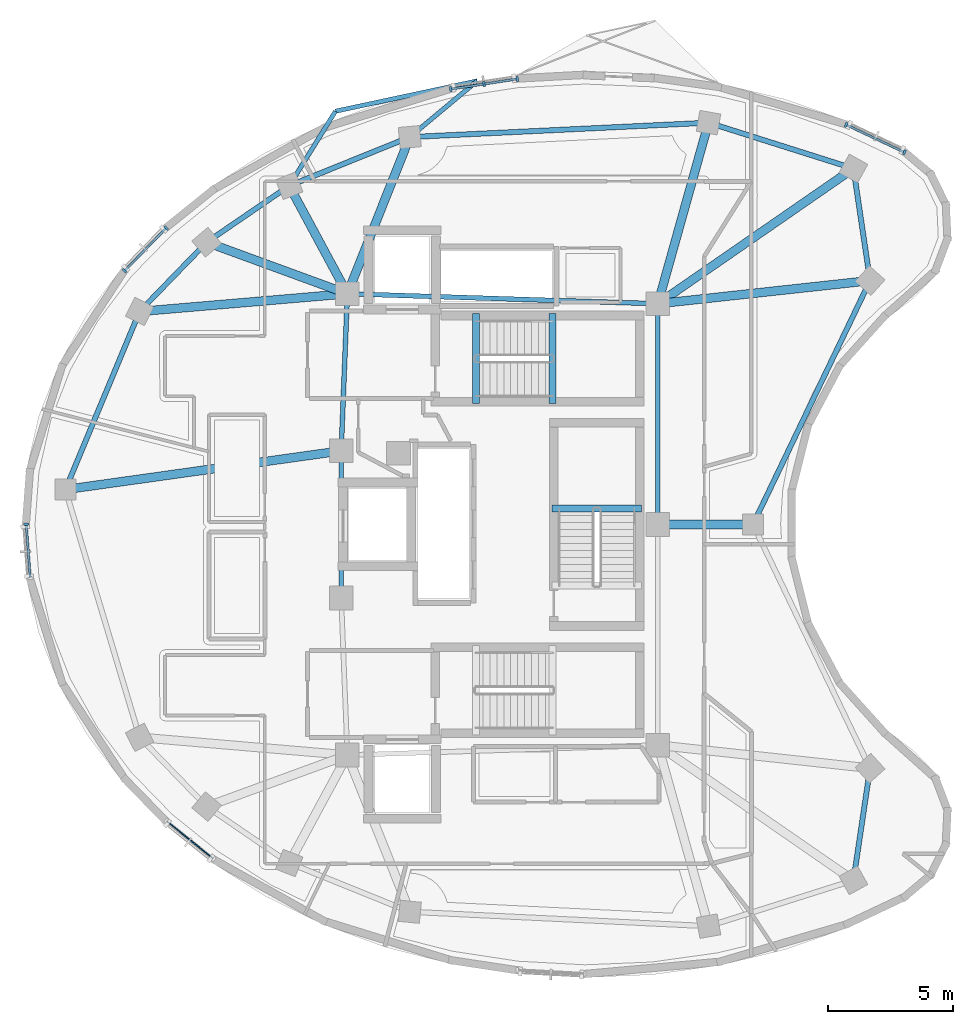
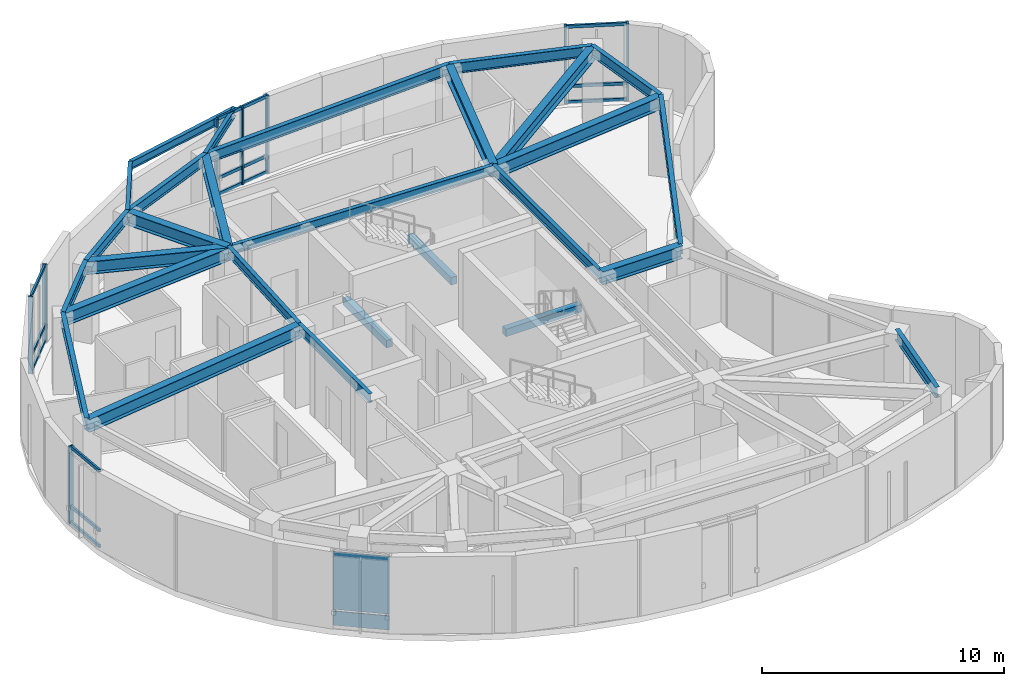
# One storey, part 2 of 10: 28 beams, 23 members, 2 plates, 5 elements without a shape of their own.
"""IFC4 building model written with IfcOpenShell, lengths in metres."""

from ifc_helpers import new_model, si_unit, direction, frame, origin, origin_2d, place, context, subcontext, project, spatial, rectangle, i_section, extrude, material, layer, layer_set, material_profile, profile_set, type_object, element, aggregate, save


model = new_model("IFC4")

# Units and contexts
model_context = context("Model", 3, precision=1e-05, world=origin(), true_north=direction((0.0, 1.0)))
body_context = subcontext(model_context, "Body", "Model", "MODEL_VIEW")
ifc_project = project(units=[si_unit("LENGTHUNIT", "METRE"), si_unit("AREAUNIT", "SQUARE_METRE"), si_unit("VOLUMEUNIT", "CUBIC_METRE"), si_unit("PLANEANGLEUNIT", "RADIAN"), si_unit("MASSUNIT", "GRAM", prefix="KILO")], contexts=[model_context])

# Site, building, storey
site_placement = place(None, origin())
site = spatial("IfcSite", under=ifc_project, at=site_placement, CompositionType="ELEMENT")
building_placement = place(site_placement, origin())
building = spatial("IfcBuilding", under=site, at=building_placement, Name="Korentha Bioscience Tower", CompositionType="ELEMENT")
storey_placement = place(building_placement, frame((0.0, 0.0, 306.0)))
storey = spatial("IfcBuildingStorey", under=building, at=storey_placement, Name="L70", CompositionType="ELEMENT", Elevation=306.0)

# Beams
ifc_material_1 = material(Name="Concrete C50", Category="concrete")
ifc_material_profile_1 = material_profile(ifc_material_1, rectangle(XDim=0.280029296875, YDim=0.3798828125, at=origin_2d()), Name="Concrete C50")
ifc_profile_set_1 = profile_set([ifc_material_profile_1], Name="Concrete C50 (ST-HB380)")
beam_type_1 = type_object("IfcBeamType", Name="Concrete Stair Header Beam RC 280x380", PredefinedType="BEAM", material=ifc_profile_set_1)
for number, where, z_axis, x_axis, name in (
    (1, (30.25, 31.85009765625, -0.18994140625), (0.0, 1.0, 0.0), (-1.0, 0.0, 0.0), "L70 ST-1 Concrete Stair Header Beam"),
    (2, (33.330078125, 31.85009765625, 1.909912109375), (0.0, 1.0, 0.0), (-1.0, 0.0, 0.0), "L70 ST-1 Half-Landing Header Beam 1"),
    (3, (36.89990234375, 27.6298828125, 1.909912109375), (-1.0, 0.0, 0.0), (0.0, -1.0, 0.0), "L70 ST-3 Half-Landing Header Beam 1"),
):
    element("IfcBeam", number, at=place(storey_placement, frame(where, z_axis=z_axis, x_axis=x_axis)), inside=storey, type_object=beam_type_1, Name=name, PredefinedType="BEAM", context=body_context, shape_type="SweptSolid", body=[
        extrude(rectangle(XDim=0.280029296875, YDim=0.3798828125, at=origin_2d()), origin(), (0.0, 0.0, 1.0), 3.599853515625),
    ])
ifc_material_2 = material(Name="Steel S355", Category="steel")
ifc_material_profile_2 = material_profile(ifc_material_2, i_section(OverallWidth=0.18994140625, OverallDepth=0.45703125, WebThickness=0.009033203125, FlangeThickness=0.014404296875, at=origin_2d()), Name="Steel S355")
ifc_profile_set_2 = profile_set([ifc_material_profile_2], Name="Steel S355 (MB-460)")
beam_type_2 = type_object("IfcBeamType", Name="Mid-Ring Tie Girder W460x74", PredefinedType="BEAM", material=ifc_profile_set_2)
beam_1_placement = place(storey_placement, frame((37.550048828125, 35.85009765625, 3.67138671875), z_axis=(-0.999484526071, 0.032104238723, 0.0), x_axis=(-0.032104238723, -0.999484526071, 0.0)))
element("IfcBeam", 4, at=beam_1_placement, inside=storey, type_object=beam_type_2, Name="L70 Core Ring Tie Girder 01", PredefinedType="BEAM", context=body_context, shape_type="SweptSolid", body=[
    extrude(i_section(OverallWidth=0.18994140625, OverallDepth=0.45703125, WebThickness=0.009033203125, FlangeThickness=0.014404296875, at=origin_2d()), origin(), (0.0, 0.0, 1.0), 12.456298828125),
])
beam_2_placement = place(storey_placement, frame((25.10009765625, 36.25, 3.67138671875), z_axis=(-0.039651025576, -0.999213588864, 0.0), x_axis=(0.999213588864, -0.039651025576, 0.0)))
element("IfcBeam", 5, at=beam_2_placement, inside=storey, type_object=beam_type_2, Name="L70 Core Ring Tie Girder 02", PredefinedType="BEAM", context=body_context, shape_type="SweptSolid", body=[
    extrude(i_section(OverallWidth=0.18994140625, OverallDepth=0.45703125, WebThickness=0.009033203125, FlangeThickness=0.014404296875, at=origin_2d()), origin(), (0.0, 0.0, 1.0), 6.304931640625),
])
beam_3_placement = place(storey_placement, frame((24.85009765625, 29.949951171875, 3.67138671875), z_axis=(0.0, -1.0, 0.0), x_axis=(1.0, 0.0, 0.0)))
element("IfcBeam", 6, at=beam_3_placement, inside=storey, type_object=beam_type_2, Name="L70 Core Ring Tie Girder 03", PredefinedType="BEAM", context=body_context, shape_type="SweptSolid", body=[
    extrude(i_section(OverallWidth=0.18994140625, OverallDepth=0.45703125, WebThickness=0.009033203125, FlangeThickness=0.014404296875, at=origin_2d()), origin(), (0.0, 0.0, 1.0), 5.89990234375),
])
beam_4_placement = place(storey_placement, frame((37.550048828125, 27.0, 3.67138671875), z_axis=(0.0, 1.0, 0.0), x_axis=(-1.0, 0.0, 0.0)))
element("IfcBeam", 7, at=beam_4_placement, inside=storey, type_object=beam_type_2, Name="L70 Core Ring Tie Girder 07", PredefinedType="BEAM", context=body_context, shape_type="SweptSolid", body=[
    extrude(i_section(OverallWidth=0.18994140625, OverallDepth=0.45703125, WebThickness=0.009033203125, FlangeThickness=0.014404296875, at=origin_2d()), origin(), (0.0, 0.0, 1.0), 8.85009765625),
])

# Curtain wall, members
ifc_material_3 = material(Name="Thermally Broken Aluminium Frame", Category="aluminium")
ifc_layer_1 = layer(ifc_material_3, 0.219970703125, Name="Thermally Broken Aluminium Frame")
ifc_layer_set_1 = layer_set([ifc_layer_1], Name="Thermally Broken Aluminium Frame (CW-T2)")
curtain_wall_type = type_object("IfcCurtainWallType", Name="Solar-Screened Lab Unitised Curtain Wall CW-T2", PredefinedType="USERDEFINED", material=ifc_layer_set_1)
curtain_wall_1_placement = place(storey_placement, origin())
curtain_wall_1 = element("IfcCurtainWall", 8, at=curtain_wall_1_placement, inside=storey, type_object=curtain_wall_type, Name="L70 Curtain Wall 01", ObjectType="UNITISED", PredefinedType="USERDEFINED")
ifc_material_4 = material(Name="Anodised Aluminium 6063-T6", Category="aluminium")
ifc_material_profile_3 = material_profile(ifc_material_4, rectangle(XDim=0.090087890625, YDim=0.199951171875, at=origin_2d()), Name="Anodised Aluminium 6063-T6")
ifc_profile_set_3 = profile_set([ifc_material_profile_3], Name="Anodised Aluminium 6063-T6 (CW-MUL)")
member_type_1 = type_object("IfcMemberType", Name="Mullion RECT 90x200", PredefinedType="MULLION", material=ifc_profile_set_3)
member_1_placement = place(storey_placement, frame((47.439697265625, 41.922607421875, 0.0), z_axis=(0.0, 0.0, 1.0), x_axis=(-0.904397382054, 0.426691194347, 0.0)))
member_1 = element("IfcMember", 9, at=member_1_placement, type_object=member_type_1, Name="CW-L70-01 Mullion 1", PredefinedType="MULLION", context=body_context, shape_type="SweptSolid", body=[
    extrude(rectangle(XDim=0.090087890625, YDim=0.199951171875, at=origin_2d()), origin(), (0.0, 0.0, 1.0), 3.89990234375),
])
member_2_placement = place(storey_placement, frame((45.095703125, 43.028564453125, 0.0), z_axis=(0.0, 0.0, 1.0), x_axis=(-0.904397382054, 0.426691194347, 0.0)))
member_2 = element("IfcMember", 10, at=member_2_placement, type_object=member_type_1, Name="CW-L70-01 Mullion 2", PredefinedType="MULLION", context=body_context, shape_type="SweptSolid", body=[
    extrude(rectangle(XDim=0.090087890625, YDim=0.199951171875, at=origin_2d()), origin(), (0.0, 0.0, 1.0), 3.89990234375),
])

curtain_wall_2_placement = place(storey_placement, origin())
curtain_wall_2 = element("IfcCurtainWall", 11, at=curtain_wall_2_placement, inside=storey, type_object=curtain_wall_type, Name="L70 Curtain Wall 07", ObjectType="UNITISED", PredefinedType="USERDEFINED")
member_3_placement = place(storey_placement, frame((31.914794921875, 44.864501953125, 0.0), z_axis=(0.0, 0.0, 1.0), x_axis=(-0.988621035391, -0.150427551942, 0.0)))
member_3 = element("IfcMember", 12, at=member_3_placement, type_object=member_type_1, Name="CW-L70-07 Mullion 1", PredefinedType="MULLION", context=body_context, shape_type="SweptSolid", body=[
    extrude(rectangle(XDim=0.090087890625, YDim=0.199951171875, at=origin_2d()), origin(), (0.0, 0.0, 1.0), 3.89990234375),
])
member_4_placement = place(storey_placement, frame((30.577880859375, 44.660888671875, 0.0), z_axis=(0.0, 0.0, 1.0), x_axis=(-0.988621035391, -0.150427551942, 0.0)))
member_4 = element("IfcMember", 13, at=member_4_placement, type_object=member_type_1, Name="CW-L70-07 Mullion 2", PredefinedType="MULLION", context=body_context, shape_type="SweptSolid", body=[
    extrude(rectangle(XDim=0.090087890625, YDim=0.199951171875, at=origin_2d()), origin(), (0.0, 0.0, 1.0), 3.89990234375),
])
member_5_placement = place(storey_placement, frame((29.240966796875, 44.45751953125, 0.0), z_axis=(0.0, 0.0, 1.0), x_axis=(-0.988621035391, -0.150427551942, 0.0)))
member_5 = element("IfcMember", 14, at=member_5_placement, type_object=member_type_1, Name="CW-L70-07 Mullion 3", PredefinedType="MULLION", context=body_context, shape_type="SweptSolid", body=[
    extrude(rectangle(XDim=0.090087890625, YDim=0.199951171875, at=origin_2d()), origin(), (0.0, 0.0, 1.0), 3.89990234375),
])

curtain_wall_3_placement = place(storey_placement, origin())
curtain_wall_3 = element("IfcCurtainWall", 15, at=curtain_wall_3_placement, inside=storey, type_object=curtain_wall_type, Name="L70 Curtain Wall 13", ObjectType="UNITISED", PredefinedType="USERDEFINED")
member_6_placement = place(storey_placement, frame((17.836181640625, 38.886474609375, 0.0), z_axis=(0.0, 0.0, 1.0), x_axis=(-0.697567217128, -0.716519349067, 0.0)))
member_6 = element("IfcMember", 16, at=member_6_placement, type_object=member_type_1, Name="CW-L70-13 Mullion 1", PredefinedType="MULLION", context=body_context, shape_type="SweptSolid", body=[
    extrude(rectangle(XDim=0.090087890625, YDim=0.199951171875, at=origin_2d()), origin(), (0.0, 0.0, 1.0), 3.89990234375),
])
member_7_placement = place(storey_placement, frame((16.16552734375, 37.170166015625, 0.0), z_axis=(0.0, 0.0, 1.0), x_axis=(-0.697567217128, -0.716519349067, 0.0)))
member_7 = element("IfcMember", 17, at=member_7_placement, type_object=member_type_1, Name="CW-L70-13 Mullion 2", PredefinedType="MULLION", context=body_context, shape_type="SweptSolid", body=[
    extrude(rectangle(XDim=0.090087890625, YDim=0.199951171875, at=origin_2d()), origin(), (0.0, 0.0, 1.0), 3.89990234375),
])

# Curtain wall, member
curtain_wall_4_placement = place(storey_placement, origin())
curtain_wall_4 = element("IfcCurtainWall", 18, at=curtain_wall_4_placement, inside=storey, type_object=curtain_wall_type, Name="L70 Curtain Wall 19", ObjectType="UNITISED", PredefinedType="USERDEFINED")
member_8_placement = place(storey_placement, frame((12.220947265625, 27.007080078125, 0.0), z_axis=(0.0, 0.0, 1.0), x_axis=(0.075073021346, -0.997178039001, 0.0)))
member_8 = element("IfcMember", 19, at=member_8_placement, type_object=member_type_1, Name="CW-L70-19 Mullion 1", PredefinedType="MULLION", context=body_context, shape_type="SweptSolid", body=[
    extrude(rectangle(XDim=0.090087890625, YDim=0.199951171875, at=origin_2d()), origin(), (0.0, 0.0, 1.0), 3.89990234375),
])

# Beams
ifc_material_profile_4 = material_profile(ifc_material_2, i_section(OverallWidth=0.208984375, OverallDepth=0.532958984375, WebThickness=0.01025390625, FlangeThickness=0.015625, at=origin_2d()), Name="Steel S355")
ifc_profile_set_4 = profile_set([ifc_material_profile_4], Name="Steel S355 (SB-530)")
beam_type_3 = type_object("IfcBeamType", Name="Perimeter Ring Spandrel Girder W530x92", PredefinedType="SPANDREL", material=ifc_profile_set_4)
beam_5_placement = place(storey_placement, frame((45.393310546875, 41.273681640625, 3.633544921875), z_axis=(-0.953502720539, 0.301384408895, 0.0), x_axis=(-0.301384408895, -0.953502720539, 0.0)))
element("IfcBeam", 20, at=beam_5_placement, inside=storey, type_object=beam_type_3, Name="L70 Perimeter Spandrel Girder 01", PredefinedType="SPANDREL", context=body_context, shape_type="SweptSolid", body=[
    extrude(i_section(OverallWidth=0.208984375, OverallDepth=0.532958984375, WebThickness=0.01025390625, FlangeThickness=0.015625, at=origin_2d()), origin(), (0.0, 0.0, 1.0), 6.094970703125),
])
beam_6_placement = place(storey_placement, frame((39.581787109375, 43.110595703125, 3.633544921875), z_axis=(-0.998842480099, -0.04810093502, 0.0), x_axis=(0.04810093502, -0.998842480099, 0.0)))
element("IfcBeam", 21, at=beam_6_placement, inside=storey, type_object=beam_type_3, Name="L70 Perimeter Spandrel Girder 02", PredefinedType="SPANDREL", context=body_context, shape_type="SweptSolid", body=[
    extrude(i_section(OverallWidth=0.208984375, OverallDepth=0.532958984375, WebThickness=0.01025390625, FlangeThickness=0.015625, at=origin_2d()), origin(), (0.0, 0.0, 1.0), 11.99365234375),
])
beam_7_placement = place(storey_placement, frame((27.60205078125, 42.53369140625, 3.633544921875), z_axis=(-0.92709518526, -0.374825982913, 0.0), x_axis=(0.374825982913, -0.92709518526, 0.0)))
element("IfcBeam", 22, at=beam_7_placement, inside=storey, type_object=beam_type_3, Name="L70 Perimeter Spandrel Girder 03", PredefinedType="SPANDREL", context=body_context, shape_type="SweptSolid", body=[
    extrude(i_section(OverallWidth=0.208984375, OverallDepth=0.532958984375, WebThickness=0.01025390625, FlangeThickness=0.015625, at=origin_2d()), origin(), (0.0, 0.0, 1.0), 5.216064453125),
])
beam_8_placement = place(storey_placement, frame((22.766357421875, 40.57861328125, 3.633544921875), z_axis=(-0.825502824703, -0.564397985828, 0.0), x_axis=(0.564397985828, -0.825502824703, 0.0)))
element("IfcBeam", 23, at=beam_8_placement, inside=storey, type_object=beam_type_3, Name="L70 Perimeter Spandrel Girder 04", PredefinedType="SPANDREL", context=body_context, shape_type="SweptSolid", body=[
    extrude(i_section(OverallWidth=0.208984375, OverallDepth=0.532958984375, WebThickness=0.01025390625, FlangeThickness=0.015625, at=origin_2d()), origin(), (0.0, 0.0, 1.0), 4.01025390625),
])
beam_9_placement = place(storey_placement, frame((19.455810546875, 38.315185546875, 3.633544921875), z_axis=(-0.695771790517, -0.718262915317, 0.0), x_axis=(0.718262915317, -0.695771790517, 0.0)))
element("IfcBeam", 24, at=beam_9_placement, inside=storey, type_object=beam_type_3, Name="L70 Perimeter Spandrel Girder 05", PredefinedType="SPANDREL", context=body_context, shape_type="SweptSolid", body=[
    extrude(i_section(OverallWidth=0.208984375, OverallDepth=0.532958984375, WebThickness=0.01025390625, FlangeThickness=0.015625, at=origin_2d()), origin(), (0.0, 0.0, 1.0), 3.8642578125),
])
beam_10_placement = place(storey_placement, frame((16.76708984375, 35.53955078125, 3.633544921875), z_axis=(-0.384693811758, -0.923044241191, 0.0), x_axis=(0.923044241191, -0.384693811758, 0.0)))
element("IfcBeam", 25, at=beam_10_placement, inside=storey, type_object=beam_type_3, Name="L70 Perimeter Spandrel Girder 06", PredefinedType="SPANDREL", context=body_context, shape_type="SweptSolid", body=[
    extrude(i_section(OverallWidth=0.208984375, OverallDepth=0.532958984375, WebThickness=0.01025390625, FlangeThickness=0.015625, at=origin_2d()), origin(), (0.0, 0.0, 1.0), 7.736328125),
])
beam_11_placement = place(storey_placement, frame((45.393310546875, 12.726318359375, 3.633544921875), z_axis=(0.146840630252, 0.989160163627, 0.0), x_axis=(-0.989160163627, 0.146840630252, 0.0)))
element("IfcBeam", 26, at=beam_11_placement, inside=storey, type_object=beam_type_3, Name="L70 Perimeter Spandrel Girder 13", PredefinedType="SPANDREL", context=body_context, shape_type="SweptSolid", body=[
    extrude(i_section(OverallWidth=0.208984375, OverallDepth=0.532958984375, WebThickness=0.01025390625, FlangeThickness=0.015625, at=origin_2d()), origin(), (0.0, 0.0, 1.0), 4.545654296875),
])
beam_12_placement = place(storey_placement, frame((41.36572265625, 27.0, 3.633544921875), z_axis=(0.432876684637, 0.901453146812, 0.0), x_axis=(-0.901453146812, 0.432876684637, 0.0)))
element("IfcBeam", 27, at=beam_12_placement, inside=storey, type_object=beam_type_3, Name="L70 Perimeter Spandrel Girder 15", PredefinedType="SPANDREL", context=body_context, shape_type="SweptSolid", body=[
    extrude(i_section(OverallWidth=0.208984375, OverallDepth=0.532958984375, WebThickness=0.01025390625, FlangeThickness=0.015625, at=origin_2d()), origin(), (0.0, 0.0, 1.0), 10.84619140625),
])
beam_13_placement = place(storey_placement, frame((46.060791015625, 36.77734375, 3.633544921875), z_axis=(-0.146840630252, 0.989160163627, 0.0), x_axis=(-0.989160163627, -0.146840630252, 0.0)))
element("IfcBeam", 28, at=beam_13_placement, inside=storey, type_object=beam_type_3, Name="L70 Perimeter Spandrel Girder 16", PredefinedType="SPANDREL", context=body_context, shape_type="SweptSolid", body=[
    extrude(i_section(OverallWidth=0.208984375, OverallDepth=0.532958984375, WebThickness=0.01025390625, FlangeThickness=0.015625, at=origin_2d()), origin(), (0.0, 0.0, 1.0), 4.545654296875),
])
ifc_material_profile_5 = material_profile(ifc_material_2, i_section(OverallWidth=0.35009765625, OverallDepth=0.64990234375, WebThickness=0.01611328125, FlangeThickness=0.02490234375, at=origin_2d()), Name="Steel S355")
ifc_profile_set_5 = profile_set([ifc_material_profile_5], Name="Steel S355 (RB-650)")
beam_type_4 = type_object("IfcBeamType", Name="Radial Laboratory Girder CVS 650x208", PredefinedType="BEAM", material=ifc_profile_set_5)
beam_14_placement = place(storey_placement, frame((37.550048828125, 35.85009765625, 3.574951171875), z_axis=(0.822504520154, 0.56875857297, 0.0), x_axis=(-0.56875857297, 0.822504520154, 0.0)))
element("IfcBeam", 29, at=beam_14_placement, inside=storey, type_object=beam_type_4, Name="L70 Radial Girder 01", PredefinedType="BEAM", context=body_context, shape_type="SweptSolid", body=[
    extrude(i_section(OverallWidth=0.35009765625, OverallDepth=0.64990234375, WebThickness=0.01611328125, FlangeThickness=0.02490234375, at=origin_2d()), origin(), (0.0, 0.0, 1.0), 9.535888671875),
])
beam_15_placement = place(storey_placement, frame((37.550048828125, 35.85009765625, 3.574951171875), z_axis=(0.269482185926, 0.963005374579, 0.0), x_axis=(-0.963005374579, 0.269482185926, 0.0)))
element("IfcBeam", 30, at=beam_15_placement, inside=storey, type_object=beam_type_4, Name="L70 Radial Girder 02", PredefinedType="BEAM", context=body_context, shape_type="SweptSolid", body=[
    extrude(i_section(OverallWidth=0.35009765625, OverallDepth=0.64990234375, WebThickness=0.01611328125, FlangeThickness=0.02490234375, at=origin_2d()), origin(), (0.0, 0.0, 1.0), 7.539306640625),
])
beam_16_placement = place(storey_placement, frame((25.10009765625, 36.25, 3.574951171875), z_axis=(0.369921439624, 0.929063037962, 0.0), x_axis=(-0.929063037962, 0.369921439624, 0.0)))
element("IfcBeam", 31, at=beam_16_placement, inside=storey, type_object=beam_type_4, Name="L70 Radial Girder 03", PredefinedType="BEAM", context=body_context, shape_type="SweptSolid", body=[
    extrude(i_section(OverallWidth=0.35009765625, OverallDepth=0.64990234375, WebThickness=0.01611328125, FlangeThickness=0.02490234375, at=origin_2d()), origin(), (0.0, 0.0, 1.0), 6.763427734375),
])
beam_17_placement = place(storey_placement, frame((25.10009765625, 36.25, 3.574951171875), z_axis=(-0.474564560434, 0.88022069845, 0.0), x_axis=(-0.88022069845, -0.474564560434, 0.0)))
element("IfcBeam", 32, at=beam_17_placement, inside=storey, type_object=beam_type_4, Name="L70 Radial Girder 04", PredefinedType="BEAM", context=body_context, shape_type="SweptSolid", body=[
    extrude(i_section(OverallWidth=0.35009765625, OverallDepth=0.64990234375, WebThickness=0.01611328125, FlangeThickness=0.02490234375, at=origin_2d()), origin(), (0.0, 0.0, 1.0), 4.917724609375),
])
beam_18_placement = place(storey_placement, frame((25.10009765625, 36.25, 3.574951171875), z_axis=(-0.9391119825, 0.343611240104, 0.0), x_axis=(-0.343611240104, -0.9391119825, 0.0)))
element("IfcBeam", 33, at=beam_18_placement, inside=storey, type_object=beam_type_4, Name="L70 Radial Girder 05", PredefinedType="BEAM", context=body_context, shape_type="SweptSolid", body=[
    extrude(i_section(OverallWidth=0.35009765625, OverallDepth=0.64990234375, WebThickness=0.01611328125, FlangeThickness=0.02490234375, at=origin_2d()), origin(), (0.0, 0.0, 1.0), 6.01025390625),
])
beam_19_placement = place(storey_placement, frame((25.10009765625, 36.25, 3.574951171875), z_axis=(-0.996385295821, -0.084949056921, 0.0), x_axis=(0.084949056921, -0.996385295821, 0.0)))
element("IfcBeam", 34, at=beam_19_placement, inside=storey, type_object=beam_type_4, Name="L70 Radial Girder 06", PredefinedType="BEAM", context=body_context, shape_type="SweptSolid", body=[
    extrude(i_section(OverallWidth=0.35009765625, OverallDepth=0.64990234375, WebThickness=0.01611328125, FlangeThickness=0.02490234375, at=origin_2d()), origin(), (0.0, 0.0, 1.0), 8.36328125),
])
beam_20_placement = place(storey_placement, frame((24.85009765625, 29.949951171875, 3.574951171875), z_axis=(-0.99030484903, -0.138911144217, 0.0), x_axis=(0.138911144217, -0.99030484903, 0.0)))
element("IfcBeam", 35, at=beam_20_placement, inside=storey, type_object=beam_type_4, Name="L70 Radial Girder 07", PredefinedType="BEAM", context=body_context, shape_type="SweptSolid", body=[
    extrude(i_section(OverallWidth=0.35009765625, OverallDepth=0.64990234375, WebThickness=0.01611328125, FlangeThickness=0.02490234375, at=origin_2d()), origin(), (0.0, 0.0, 1.0), 11.167236328125),
])
beam_21_placement = place(storey_placement, frame((37.550048828125, 27.0, 3.574951171875), z_axis=(1.0, 0.0, 0.0), x_axis=(0.0, 1.0, 0.0)))
element("IfcBeam", 36, at=beam_21_placement, inside=storey, type_object=beam_type_4, Name="L70 Radial Girder 15", PredefinedType="BEAM", context=body_context, shape_type="SweptSolid", body=[
    extrude(i_section(OverallWidth=0.35009765625, OverallDepth=0.64990234375, WebThickness=0.01611328125, FlangeThickness=0.02490234375, at=origin_2d()), origin(), (0.0, 0.0, 1.0), 3.815673828125),
])
beam_22_placement = place(storey_placement, frame((37.550048828125, 35.85009765625, 3.574951171875), z_axis=(0.994117259507, 0.108309160975, 0.0), x_axis=(-0.108309160975, 0.994117259507, 0.0)))
element("IfcBeam", 37, at=beam_22_placement, inside=storey, type_object=beam_type_4, Name="L70 Radial Girder 16", PredefinedType="BEAM", context=body_context, shape_type="SweptSolid", body=[
    extrude(i_section(OverallWidth=0.35009765625, OverallDepth=0.64990234375, WebThickness=0.01611328125, FlangeThickness=0.02490234375, at=origin_2d()), origin(), (0.0, 0.0, 1.0), 8.56103515625),
])
ifc_material_profile_6 = material_profile(ifc_material_2, i_section(OverallWidth=0.177978515625, OverallDepth=0.406982421875, WebThickness=0.0078125, FlangeThickness=0.0126953125, at=origin_2d()), Name="Steel S355")
ifc_profile_set_6 = profile_set([ifc_material_profile_6], Name="Steel S355 (CB-410)")
beam_type_5 = type_object("IfcBeamType", Name="Sun-Ledge Cantilever Beam W410x60", PredefinedType="BEAM", material=ifc_profile_set_6)
for number, where, z_axis, x_axis, name in (
    (38, (27.60205078125, 42.53369140625, 3.698486328125), (0.768221279597, 0.640184399664, 0.0), (-0.640184399664, 0.768221279597, 0.0), "L70 Balcony Cantilever Bracket A-L71-01"),
    (39, (22.766357421875, 40.57861328125, 3.698486328125), (0.527259267418, 0.849704457398, 0.0), (-0.849704457398, 0.527259267418, 0.0), "L70 Balcony Cantilever Bracket B-L71-01"),
):
    element("IfcBeam", number, at=place(storey_placement, frame(where, z_axis=z_axis, x_axis=x_axis)), inside=storey, type_object=beam_type_5, Name=name, PredefinedType="BEAM", context=body_context, shape_type="SweptSolid", body=[
        extrude(i_section(OverallWidth=0.177978515625, OverallDepth=0.406982421875, WebThickness=0.0078125, FlangeThickness=0.0126953125, at=origin_2d()), origin(), (0.0, 0.0, 1.0), 3.52001953125),
    ])
beam_23_placement = place(storey_placement, frame((30.30615234375, 44.787109375, 3.698486328125), z_axis=(-0.97781777755, -0.209457379693, 0.0), x_axis=(0.209457379693, -0.97781777755, 0.0)))
element("IfcBeam", 40, at=beam_23_placement, inside=storey, type_object=beam_type_5, Name="L70 Balcony Edge Trimmer Beam L71-01", PredefinedType="BEAM", context=body_context, shape_type="SweptSolid", body=[
    extrude(i_section(OverallWidth=0.177978515625, OverallDepth=0.406982421875, WebThickness=0.0078125, FlangeThickness=0.0126953125, at=origin_2d()), origin(), (0.0, 0.0, 1.0), 5.812744140625),
])

# Member
ifc_material_profile_7 = material_profile(ifc_material_4, rectangle(XDim=0.090087890625, YDim=0.159912109375, at=origin_2d()), Name="Anodised Aluminium 6063-T6")
ifc_profile_set_7 = profile_set([ifc_material_profile_7], Name="Anodised Aluminium 6063-T6 (CW-TRN)")
member_type_2 = type_object("IfcMemberType", Name="Transom RECT 90x160", PredefinedType="USERDEFINED", material=ifc_profile_set_7)
member_9_placement = place(storey_placement, frame((47.39892578125, 41.94189453125, 0.044921875), z_axis=(-0.904402460023, 0.426680431124, 0.0), x_axis=(-0.426680431124, -0.904402460023, 0.0)))
member_9 = element("IfcMember", 41, at=member_9_placement, type_object=member_type_2, Name="CW-L70-01 Bay 1 Transom 1", ObjectType="TRANSOM", PredefinedType="USERDEFINED", context=body_context, shape_type="SweptSolid", body=[
    extrude(rectangle(XDim=0.090087890625, YDim=0.159912109375, at=origin_2d()), origin(), (0.0, 0.0, 1.0), 2.501708984375),
])

member_10_placement = place(storey_placement, frame((47.39892578125, 41.94189453125, 0.85009765625), z_axis=(-0.904402460023, 0.426680431124, 0.0), x_axis=(-0.426680431124, -0.904402460023, 0.0)))
member_10 = element("IfcMember", 42, at=member_10_placement, type_object=member_type_2, Name="CW-L70-01 Bay 1 Transom 2", ObjectType="TRANSOM", PredefinedType="USERDEFINED", context=body_context, shape_type="SweptSolid", body=[
    extrude(rectangle(XDim=0.090087890625, YDim=0.159912109375, at=origin_2d()), origin(), (0.0, 0.0, 1.0), 2.501708984375),
])

member_11_placement = place(storey_placement, frame((47.39892578125, 41.94189453125, 3.85498046875), z_axis=(-0.904402460023, 0.426680431124, 0.0), x_axis=(-0.426680431124, -0.904402460023, 0.0)))
member_11 = element("IfcMember", 43, at=member_11_placement, type_object=member_type_2, Name="CW-L70-01 Bay 1 Transom 3", ObjectType="TRANSOM", PredefinedType="USERDEFINED", context=body_context, shape_type="SweptSolid", body=[
    extrude(rectangle(XDim=0.090087890625, YDim=0.159912109375, at=origin_2d()), origin(), (0.0, 0.0, 1.0), 2.501708984375),
])

aggregate(curtain_wall_1, [member_1, member_2, member_9, member_10, member_11])

member_12_placement = place(storey_placement, frame((31.870361328125, 44.857666015625, 0.044921875), z_axis=(-0.988616336068, -0.150458432993, 0.0), x_axis=(0.150458432993, -0.988616336068, 0.0)))
member_12 = element("IfcMember", 44, at=member_12_placement, type_object=member_type_2, Name="CW-L70-07 Bay 1 Transom 1", ObjectType="TRANSOM", PredefinedType="USERDEFINED", context=body_context, shape_type="SweptSolid", body=[
    extrude(rectangle(XDim=0.090087890625, YDim=0.159912109375, at=origin_2d()), origin(), (0.0, 0.0, 1.0), 1.262451171875),
])

member_13_placement = place(storey_placement, frame((31.870361328125, 44.857666015625, 0.85009765625), z_axis=(-0.988616336068, -0.150458432993, 0.0), x_axis=(0.150458432993, -0.988616336068, 0.0)))
member_13 = element("IfcMember", 45, at=member_13_placement, type_object=member_type_2, Name="CW-L70-07 Bay 1 Transom 2", ObjectType="TRANSOM", PredefinedType="USERDEFINED", context=body_context, shape_type="SweptSolid", body=[
    extrude(rectangle(XDim=0.090087890625, YDim=0.159912109375, at=origin_2d()), origin(), (0.0, 0.0, 1.0), 1.262451171875),
])

member_14_placement = place(storey_placement, frame((31.870361328125, 44.857666015625, 3.85498046875), z_axis=(-0.988616336068, -0.150458432993, 0.0), x_axis=(0.150458432993, -0.988616336068, 0.0)))
member_14 = element("IfcMember", 46, at=member_14_placement, type_object=member_type_2, Name="CW-L70-07 Bay 1 Transom 3", ObjectType="TRANSOM", PredefinedType="USERDEFINED", context=body_context, shape_type="SweptSolid", body=[
    extrude(rectangle(XDim=0.090087890625, YDim=0.159912109375, at=origin_2d()), origin(), (0.0, 0.0, 1.0), 1.262451171875),
])

member_15_placement = place(storey_placement, frame((30.533447265625, 44.654296875, 0.044921875), z_axis=(-0.988616336068, -0.150458432993, 0.0), x_axis=(0.150458432993, -0.988616336068, 0.0)))
member_15 = element("IfcMember", 47, at=member_15_placement, type_object=member_type_2, Name="CW-L70-07 Bay 2 Transom 1", ObjectType="TRANSOM", PredefinedType="USERDEFINED", context=body_context, shape_type="SweptSolid", body=[
    extrude(rectangle(XDim=0.090087890625, YDim=0.159912109375, at=origin_2d()), origin(), (0.0, 0.0, 1.0), 1.262451171875),
])

member_16_placement = place(storey_placement, frame((30.533447265625, 44.654296875, 0.85009765625), z_axis=(-0.988616336068, -0.150458432993, 0.0), x_axis=(0.150458432993, -0.988616336068, 0.0)))
member_16 = element("IfcMember", 48, at=member_16_placement, type_object=member_type_2, Name="CW-L70-07 Bay 2 Transom 2", ObjectType="TRANSOM", PredefinedType="USERDEFINED", context=body_context, shape_type="SweptSolid", body=[
    extrude(rectangle(XDim=0.090087890625, YDim=0.159912109375, at=origin_2d()), origin(), (0.0, 0.0, 1.0), 1.262451171875),
])

member_17_placement = place(storey_placement, frame((30.533447265625, 44.654296875, 3.85498046875), z_axis=(-0.988616336068, -0.150458432993, 0.0), x_axis=(0.150458432993, -0.988616336068, 0.0)))
member_17 = element("IfcMember", 49, at=member_17_placement, type_object=member_type_2, Name="CW-L70-07 Bay 2 Transom 3", ObjectType="TRANSOM", PredefinedType="USERDEFINED", context=body_context, shape_type="SweptSolid", body=[
    extrude(rectangle(XDim=0.090087890625, YDim=0.159912109375, at=origin_2d()), origin(), (0.0, 0.0, 1.0), 1.262451171875),
])

aggregate(curtain_wall_2, [member_3, member_4, member_5, member_12, member_13, member_14, member_15, member_16, member_17])

member_18_placement = place(storey_placement, frame((17.804931640625, 38.85400390625, 0.044921875), z_axis=(-0.697563742003, -0.716522732258, 0.0), x_axis=(0.716522732258, -0.697563742003, 0.0)))
member_18 = element("IfcMember", 50, at=member_18_placement, type_object=member_type_2, Name="CW-L70-13 Bay 1 Transom 1", ObjectType="TRANSOM", PredefinedType="USERDEFINED", context=body_context, shape_type="SweptSolid", body=[
    extrude(rectangle(XDim=0.090087890625, YDim=0.159912109375, at=origin_2d()), origin(), (0.0, 0.0, 1.0), 2.304931640625),
])

member_19_placement = place(storey_placement, frame((17.804931640625, 38.85400390625, 0.85009765625), z_axis=(-0.697563742003, -0.716522732258, 0.0), x_axis=(0.716522732258, -0.697563742003, 0.0)))
member_19 = element("IfcMember", 51, at=member_19_placement, type_object=member_type_2, Name="CW-L70-13 Bay 1 Transom 2", ObjectType="TRANSOM", PredefinedType="USERDEFINED", context=body_context, shape_type="SweptSolid", body=[
    extrude(rectangle(XDim=0.090087890625, YDim=0.159912109375, at=origin_2d()), origin(), (0.0, 0.0, 1.0), 2.304931640625),
])

member_20_placement = place(storey_placement, frame((17.804931640625, 38.85400390625, 3.85498046875), z_axis=(-0.697563742003, -0.716522732258, 0.0), x_axis=(0.716522732258, -0.697563742003, 0.0)))
member_20 = element("IfcMember", 52, at=member_20_placement, type_object=member_type_2, Name="CW-L70-13 Bay 1 Transom 3", ObjectType="TRANSOM", PredefinedType="USERDEFINED", context=body_context, shape_type="SweptSolid", body=[
    extrude(rectangle(XDim=0.090087890625, YDim=0.159912109375, at=origin_2d()), origin(), (0.0, 0.0, 1.0), 2.304931640625),
])

aggregate(curtain_wall_3, [member_6, member_7, member_18, member_19, member_20])

member_21_placement = place(storey_placement, frame((12.224365234375, 26.962158203125, 0.044921875), z_axis=(0.075022717108, -0.997181824903, 0.0), x_axis=(0.997181824903, 0.075022717108, 0.0)))
member_21 = element("IfcMember", 53, at=member_21_placement, type_object=member_type_2, Name="CW-L70-19 Bay 1 Transom 1", ObjectType="TRANSOM", PredefinedType="USERDEFINED", context=body_context, shape_type="SweptSolid", body=[
    extrude(rectangle(XDim=0.090087890625, YDim=0.159912109375, at=origin_2d()), origin(), (0.0, 0.0, 1.0), 2.0859375),
])

member_22_placement = place(storey_placement, frame((12.224365234375, 26.962158203125, 0.85009765625), z_axis=(0.075022717108, -0.997181824903, 0.0), x_axis=(0.997181824903, 0.075022717108, 0.0)))
member_22 = element("IfcMember", 54, at=member_22_placement, type_object=member_type_2, Name="CW-L70-19 Bay 1 Transom 2", ObjectType="TRANSOM", PredefinedType="USERDEFINED", context=body_context, shape_type="SweptSolid", body=[
    extrude(rectangle(XDim=0.090087890625, YDim=0.159912109375, at=origin_2d()), origin(), (0.0, 0.0, 1.0), 2.0859375),
])

member_23_placement = place(storey_placement, frame((12.224365234375, 26.962158203125, 3.85498046875), z_axis=(0.075022717108, -0.997181824903, 0.0), x_axis=(0.997181824903, 0.075022717108, 0.0)))
member_23 = element("IfcMember", 55, at=member_23_placement, type_object=member_type_2, Name="CW-L70-19 Bay 1 Transom 3", ObjectType="TRANSOM", PredefinedType="USERDEFINED", context=body_context, shape_type="SweptSolid", body=[
    extrude(rectangle(XDim=0.090087890625, YDim=0.159912109375, at=origin_2d()), origin(), (0.0, 0.0, 1.0), 2.0859375),
])

aggregate(curtain_wall_4, [member_8, member_21, member_22, member_23])

# Curtain wall, plates
curtain_wall_5_placement = place(storey_placement, origin())
curtain_wall_5 = element("IfcCurtainWall", 56, at=curtain_wall_5_placement, inside=storey, type_object=curtain_wall_type, Name="L70 Curtain Wall 25", ObjectType="UNITISED", PredefinedType="USERDEFINED")
ifc_material_5 = material(Name="Triple-Glazed Low-E Insulated Glass", Category="glass")
ifc_layer_2 = layer(ifc_material_5, 0.0439453125, Name="Triple-Glazed Low-E Insulated Glass")
ifc_layer_set_2 = layer_set([ifc_layer_2], Name="Triple-Glazed Low-E Insulated Glass (GL-44)")
plate_type = type_object("IfcPlateType", Name="Glazed Panel 44mm", PredefinedType="CURTAIN_PANEL", material=ifc_layer_set_2)
plate_1_placement = place(storey_placement, frame((18.787841796875, 14.34814453125, 0.08984375), z_axis=(0.0, 0.0, 1.0), x_axis=(0.778807101094, -0.62726350068, 0.0)))
plate_1 = element("IfcPlate", 57, at=plate_1_placement, type_object=plate_type, Name="CW-L70-25 Bay 1 Glazed Panel 1", PredefinedType="CURTAIN_PANEL", context=body_context, shape_type="SweptSolid", body=[
    extrude(rectangle(XDim=2.37109375, YDim=0.0439453125, at=origin_2d()), origin(), (0.0, 0.0, 1.0), 0.715087890625),
])
plate_2_placement = place(storey_placement, frame((18.787841796875, 14.34814453125, 0.89501953125), z_axis=(0.0, 0.0, 1.0), x_axis=(0.778807101094, -0.62726350068, 0.0)))
plate_2 = element("IfcPlate", 58, at=plate_2_placement, type_object=plate_type, Name="CW-L70-25 Bay 1 Glazed Panel 2", PredefinedType="CURTAIN_PANEL", context=body_context, shape_type="SweptSolid", body=[
    extrude(rectangle(XDim=2.37109375, YDim=0.0439453125, at=origin_2d()), origin(), (0.0, 0.0, 1.0), 2.9150390625),
])
aggregate(curtain_wall_5, [plate_1, plate_2])

save(model, "model.ifc")
